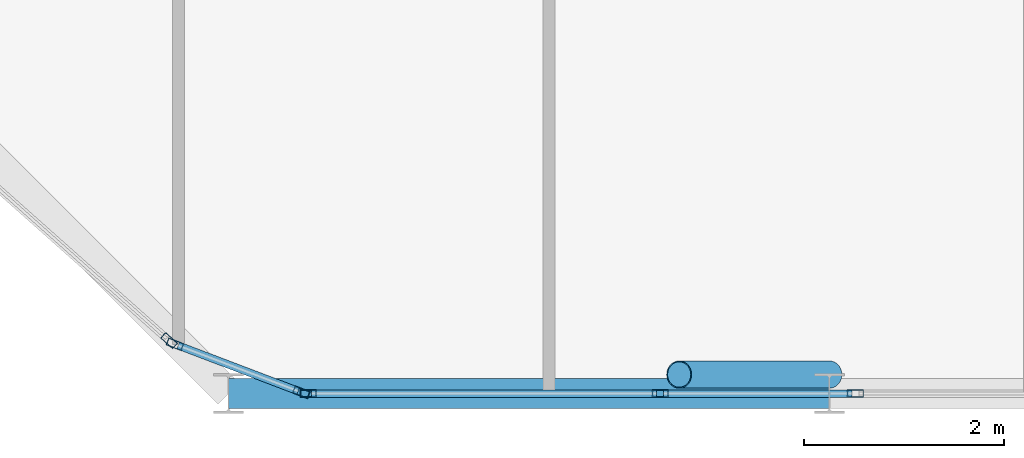
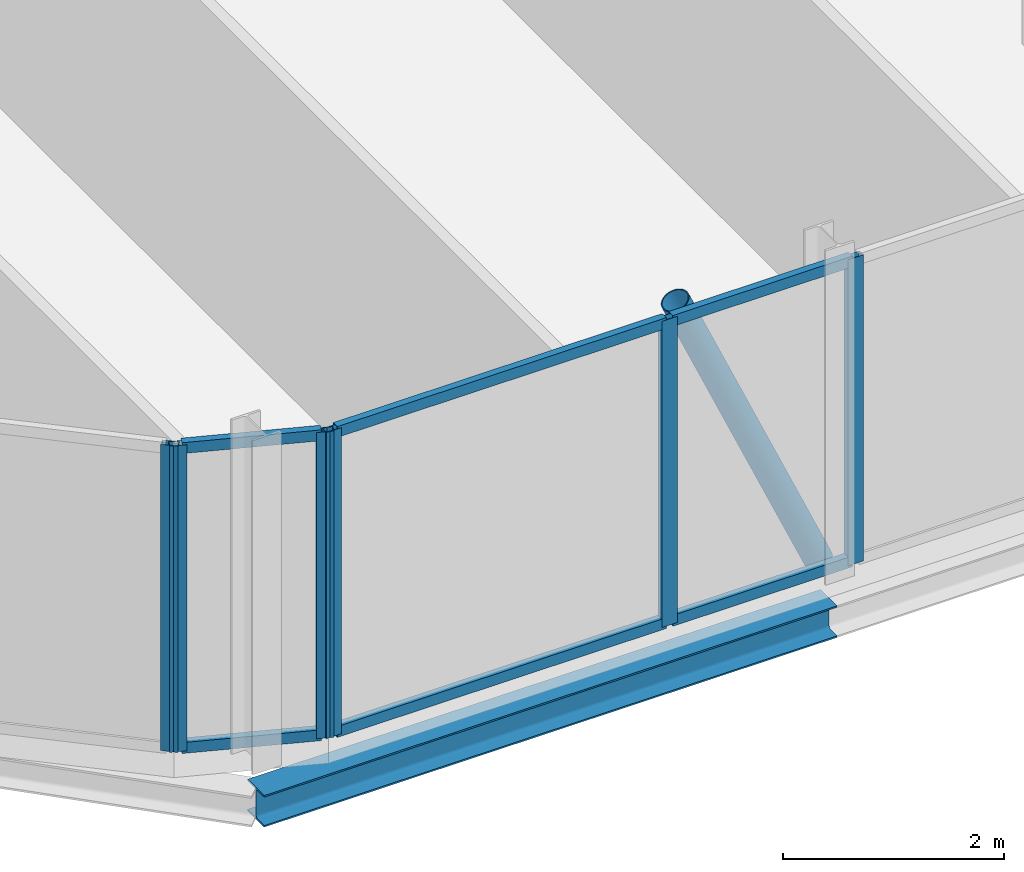
# One storey, part 6 of 27: 13 members, 1 beam, 5 elements without a shape of their own.
"""IFC4 building model written with IfcOpenShell, lengths in metres."""

from ifc_helpers import new_model, si_unit, direction, frame, origin, origin_2d, place, context, subcontext, project, spatial, hollow_rectangle, hollow_circle, i_section, extrude, material, layer, layer_set, material_profile, profile_set, type_object, element, aggregate, save


model = new_model("IFC4")

# Units and contexts
model_context = context("Model", 3, precision=1e-05, world=origin(), true_north=direction((0.0, 1.0)))
body_context = subcontext(model_context, "Body", "Model", "MODEL_VIEW")
ifc_project = project(units=[si_unit("LENGTHUNIT", "METRE"), si_unit("AREAUNIT", "SQUARE_METRE"), si_unit("VOLUMEUNIT", "CUBIC_METRE"), si_unit("PLANEANGLEUNIT", "RADIAN"), si_unit("MASSUNIT", "GRAM", prefix="KILO")], contexts=[model_context])

# Site, building, storey
site_placement = place(None, origin())
site = spatial("IfcSite", under=ifc_project, at=site_placement, CompositionType="ELEMENT")
building_placement = place(site_placement, origin())
building = spatial("IfcBuilding", under=site, at=building_placement, Name="Keshet Zoharim Tower", CompositionType="ELEMENT")
storey_placement = place(building_placement, frame((0.0, 0.0, 307.300048828125)))
storey = spatial("IfcBuildingStorey", under=building, at=storey_placement, Name="L77", CompositionType="ELEMENT", Elevation=307.300048828125)

# Beam
ifc_material_1 = material(Name="Steel S355", Category="steel")
ifc_material_profile_1 = material_profile(ifc_material_1, i_section(OverallWidth=0.300048828125, OverallDepth=0.35009765625, WebThickness=0.010009765625, FlangeThickness=0.017578125, FilletRadius=0.027099609375, at=origin_2d()), Name="HEA360")
ifc_profile_set_1 = profile_set([ifc_material_profile_1], Name="Steel S355")
beam_type = type_object("IfcBeamType", Name="BM-PRI-HA360", PredefinedType="BEAM", material=ifc_profile_set_1)
beam_placement = place(storey_placement, frame((21.0, 6.699951171875, -0.485107421875), z_axis=(1.0, 0.0, 0.0), x_axis=(0.0, 1.0, 0.0)))
element("IfcBeam", 1, at=beam_placement, inside=storey, type_object=beam_type, Name="L77 Primary Girder X-001", PredefinedType="BEAM", context=body_context, shape_type="SweptSolid", body=[
    extrude(i_section(OverallWidth=0.300048828125, OverallDepth=0.35009765625, WebThickness=0.010009765625, FlangeThickness=0.017578125, FilletRadius=0.027099609375, at=origin_2d()), origin(), (0.0, 0.0, 1.0), 6.0),
])

# Curtain wall, member
ifc_material_2 = material(Name="Aluminium 6063-T6", Category="aluminium")
ifc_layer = layer(ifc_material_2, 0.260009765625)
ifc_layer_set = layer_set([ifc_layer], Name="Aluminium 6063-T6")
curtain_wall_type = type_object("IfcCurtainWallType", Name="CW-SYS-06", PredefinedType="NOTDEFINED", material=ifc_layer_set)
curtain_wall_1_placement = place(storey_placement, origin())
curtain_wall_1 = element("IfcCurtainWall", 2, at=curtain_wall_1_placement, inside=storey, type_object=curtain_wall_type, Name="L77 Unitised Curtain Wall 14", PredefinedType="NOTDEFINED")
ifc_material_profile_2 = material_profile(ifc_material_2, hollow_rectangle(XDim=0.074951171875, YDim=0.159912109375, WallThickness=0.00390625, at=origin_2d()), Name="MUL-75x160")
ifc_profile_set_2 = profile_set([ifc_material_profile_2], Name="Aluminium 6063-T6")
member_type_1 = type_object("IfcMemberType", Name="CWM-M15", PredefinedType="MULLION", material=ifc_profile_set_2)
member_1_placement = place(storey_placement, frame((27.259765625, 6.699951171875, 0.0), z_axis=(0.0, 0.0, 1.0), x_axis=(0.0, -1.0, 0.0)))
member_1 = element("IfcMember", 3, at=member_1_placement, type_object=member_type_1, Name="CW-06 mullion 2", PredefinedType="MULLION", context=body_context, shape_type="SweptSolid", body=[
    extrude(hollow_rectangle(XDim=0.074951171875, YDim=0.159912109375, WallThickness=0.00390625, at=origin_2d()), origin(), (0.0, 0.0, 1.0), 3.389892578125),
])
aggregate(curtain_wall_1, [member_1])

curtain_wall_2_placement = place(storey_placement, origin())
curtain_wall_2 = element("IfcCurtainWall", 4, at=curtain_wall_2_placement, inside=storey, type_object=curtain_wall_type, Name="L77 Unitised Curtain Wall 14 Part 2", PredefinedType="NOTDEFINED")
member_2_placement = place(storey_placement, frame((25.310302734375, 6.699951171875, 0.0), z_axis=(0.0, 0.0, 1.0), x_axis=(0.0, -1.0, 0.0)))
member_2 = element("IfcMember", 5, at=member_2_placement, type_object=member_type_1, Name="CW-06 mullion 2", PredefinedType="MULLION", context=body_context, shape_type="SweptSolid", body=[
    extrude(hollow_rectangle(XDim=0.074951171875, YDim=0.159912109375, WallThickness=0.00390625, at=origin_2d()), origin(), (0.0, 0.0, 1.0), 3.389892578125),
])

curtain_wall_3_placement = place(storey_placement, origin())
curtain_wall_3 = element("IfcCurtainWall", 6, at=curtain_wall_3_placement, inside=storey, type_object=curtain_wall_type, Name="L77 Unitised Curtain Wall 14 Part 3", PredefinedType="NOTDEFINED")
member_3_placement = place(storey_placement, frame((21.794921875, 6.699951171875, 0.0), z_axis=(0.0, 0.0, 1.0), x_axis=(0.0, -1.0, 0.0)))
member_3 = element("IfcMember", 7, at=member_3_placement, type_object=member_type_1, Name="CW-06 mullion 2", PredefinedType="MULLION", context=body_context, shape_type="SweptSolid", body=[
    extrude(hollow_rectangle(XDim=0.074951171875, YDim=0.159912109375, WallThickness=0.00390625, at=origin_2d()), origin(), (0.0, 0.0, 1.0), 3.389892578125),
])

# Curtain wall, members
curtain_wall_4_placement = place(storey_placement, origin())
curtain_wall_4 = element("IfcCurtainWall", 8, at=curtain_wall_4_placement, inside=storey, type_object=curtain_wall_type, Name="L77 Unitised Curtain Wall 15", PredefinedType="NOTDEFINED")
member_4_placement = place(storey_placement, frame((21.727294921875, 6.71240234375, 0.0), z_axis=(0.0, 0.0, 1.0), x_axis=(-0.355439161326, -0.934699418314, 0.0)))
member_4 = element("IfcMember", 9, at=member_4_placement, type_object=member_type_1, Name="CW-06 mullion 1", PredefinedType="MULLION", context=body_context, shape_type="SweptSolid", body=[
    extrude(hollow_rectangle(XDim=0.074951171875, YDim=0.159912109375, WallThickness=0.00390625, at=origin_2d()), origin(), (0.0, 0.0, 1.0), 3.389892578125),
])
member_5_placement = place(storey_placement, frame((20.464599609375, 7.192626953125, 0.0), z_axis=(0.0, 0.0, 1.0), x_axis=(-0.355439161326, -0.934699418314, 0.0)))
member_5 = element("IfcMember", 10, at=member_5_placement, type_object=member_type_1, Name="CW-06 mullion 2", PredefinedType="MULLION", context=body_context, shape_type="SweptSolid", body=[
    extrude(hollow_rectangle(XDim=0.074951171875, YDim=0.159912109375, WallThickness=0.00390625, at=origin_2d()), origin(), (0.0, 0.0, 1.0), 3.389892578125),
])

# Curtain wall, member
curtain_wall_5_placement = place(storey_placement, origin())
curtain_wall_5 = element("IfcCurtainWall", 11, at=curtain_wall_5_placement, inside=storey, type_object=curtain_wall_type, Name="L77 Unitised Curtain Wall 16", PredefinedType="NOTDEFINED")
member_6_placement = place(storey_placement, frame((20.40576171875, 7.228271484375, 0.0), z_axis=(0.0, 0.0, 1.0), x_axis=(-0.664362180559, -0.747410792699, 0.0)))
member_6 = element("IfcMember", 12, at=member_6_placement, type_object=member_type_1, Name="CW-06 mullion 1", PredefinedType="MULLION", context=body_context, shape_type="SweptSolid", body=[
    extrude(hollow_rectangle(XDim=0.074951171875, YDim=0.159912109375, WallThickness=0.00390625, at=origin_2d()), origin(), (0.0, 0.0, 1.0), 3.389892578125),
])
aggregate(curtain_wall_5, [member_6])

# Member
ifc_material_profile_3 = material_profile(ifc_material_2, hollow_rectangle(XDim=0.074951171875, YDim=0.1201171875, WallThickness=0.00390625, at=origin_2d()), Name="TRN-75x120")
ifc_profile_set_3 = profile_set([ifc_material_profile_3], Name="Aluminium 6063-T6")
member_type_2 = type_object("IfcMemberType", Name="CWT-T12", PredefinedType="USERDEFINED", material=ifc_profile_set_3)
member_7_placement = place(storey_placement, frame((27.224853515625, 6.699951171875, 0.034912109375), z_axis=(-1.0, 0.0, 0.0), x_axis=(0.0, -1.0, 0.0)))
member_7 = element("IfcMember", 13, at=member_7_placement, type_object=member_type_2, Name="CW-06 transom 1.1", ObjectType="TRANSOM", PredefinedType="USERDEFINED", context=body_context, shape_type="SweptSolid", body=[
    extrude(hollow_rectangle(XDim=0.074951171875, YDim=0.1201171875, WallThickness=0.00390625, at=origin_2d()), origin(), (0.0, 0.0, 1.0), 1.879638671875),
])

member_8_placement = place(storey_placement, frame((27.224853515625, 6.699951171875, 3.35498046875), z_axis=(-1.0, 0.0, 0.0), x_axis=(0.0, -1.0, 0.0)))
member_8 = element("IfcMember", 14, at=member_8_placement, type_object=member_type_2, Name="CW-06 transom 1.2", ObjectType="TRANSOM", PredefinedType="USERDEFINED", context=body_context, shape_type="SweptSolid", body=[
    extrude(hollow_rectangle(XDim=0.074951171875, YDim=0.1201171875, WallThickness=0.00390625, at=origin_2d()), origin(), (0.0, 0.0, 1.0), 1.879638671875),
])

aggregate(curtain_wall_2, [member_2, member_7, member_8])

member_9_placement = place(storey_placement, frame((25.275146484375, 6.699951171875, 0.034912109375), z_axis=(-1.0, 0.0, 0.0), x_axis=(0.0, -1.0, 0.0)))
member_9 = element("IfcMember", 15, at=member_9_placement, type_object=member_type_2, Name="CW-06 transom 1.1", ObjectType="TRANSOM", PredefinedType="USERDEFINED", context=body_context, shape_type="SweptSolid", body=[
    extrude(hollow_rectangle(XDim=0.074951171875, YDim=0.1201171875, WallThickness=0.00390625, at=origin_2d()), origin(), (0.0, 0.0, 1.0), 3.445068359375),
])

member_10_placement = place(storey_placement, frame((25.275146484375, 6.699951171875, 3.35498046875), z_axis=(-1.0, 0.0, 0.0), x_axis=(0.0, -1.0, 0.0)))
member_10 = element("IfcMember", 16, at=member_10_placement, type_object=member_type_2, Name="CW-06 transom 1.2", ObjectType="TRANSOM", PredefinedType="USERDEFINED", context=body_context, shape_type="SweptSolid", body=[
    extrude(hollow_rectangle(XDim=0.074951171875, YDim=0.1201171875, WallThickness=0.00390625, at=origin_2d()), origin(), (0.0, 0.0, 1.0), 3.445068359375),
])

aggregate(curtain_wall_3, [member_3, member_9, member_10])

member_11_placement = place(storey_placement, frame((21.694580078125, 6.724853515625, 0.034912109375), z_axis=(-0.934689881536, 0.355464239206, 0.0), x_axis=(-0.355464239206, -0.934689881536, 0.0)))
member_11 = element("IfcMember", 17, at=member_11_placement, type_object=member_type_2, Name="CW-06 transom 1.1", ObjectType="TRANSOM", PredefinedType="USERDEFINED", context=body_context, shape_type="SweptSolid", body=[
    extrude(hollow_rectangle(XDim=0.074951171875, YDim=0.1201171875, WallThickness=0.00390625, at=origin_2d()), origin(), (0.0, 0.0, 1.0), 1.281005859375),
])

member_12_placement = place(storey_placement, frame((21.694580078125, 6.724853515625, 3.35498046875), z_axis=(-0.934689881536, 0.355464239206, 0.0), x_axis=(-0.355464239206, -0.934689881536, 0.0)))
member_12 = element("IfcMember", 18, at=member_12_placement, type_object=member_type_2, Name="CW-06 transom 1.2", ObjectType="TRANSOM", PredefinedType="USERDEFINED", context=body_context, shape_type="SweptSolid", body=[
    extrude(hollow_rectangle(XDim=0.074951171875, YDim=0.1201171875, WallThickness=0.00390625, at=origin_2d()), origin(), (0.0, 0.0, 1.0), 1.281005859375),
])

aggregate(curtain_wall_4, [member_4, member_5, member_11, member_12])

ifc_material_profile_4 = material_profile(ifc_material_1, hollow_circle(Radius=0.136474609375, WallThickness=0.010009765625, at=origin_2d()), Name="CHS273x10")
ifc_profile_set_4 = profile_set([ifc_material_profile_4], Name="Steel S355")
member_type_3 = type_object("IfcMemberType", Name="MB-BR-C273", PredefinedType="BRACE", material=ifc_profile_set_4)
member_13_placement = place(storey_placement, frame((27.0, 6.889892578125, 0.0), z_axis=(-0.40464689807, 0.0, 0.914473011019), x_axis=(0.0, -1.0, 0.0)))
element("IfcMember", 19, at=member_13_placement, inside=storey, type_object=member_type_3, Name="L77 Perimeter Tube Brace 02", PredefinedType="BRACE", context=body_context, shape_type="SweptSolid", body=[
    extrude(hollow_circle(Radius=0.136474609375, WallThickness=0.010009765625, at=origin_2d()), origin(), (0.0, 0.0, 1.0), 3.70703125),
])

save(model, "model.ifc")
